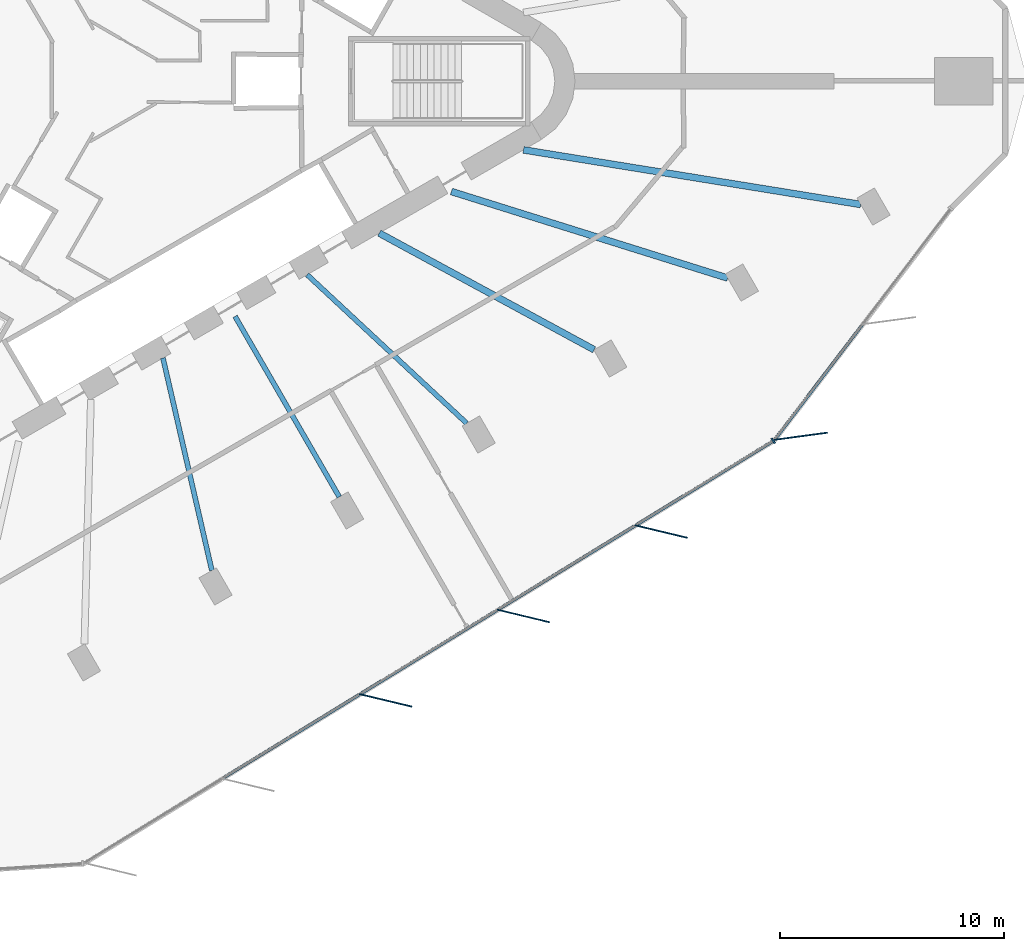
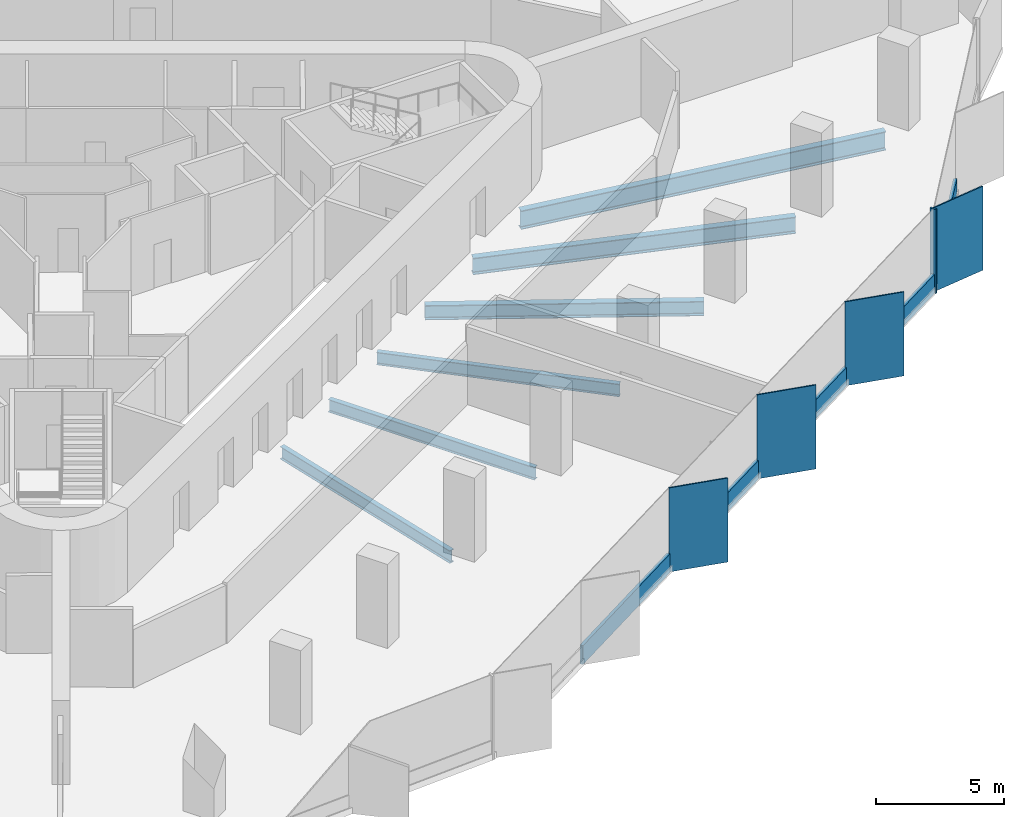
# One storey, part 3 of 14: 10 members, 6 beams, 2 elements without a shape of their own.
"""IFC4 building model written with IfcOpenShell, lengths in metres."""

import ifcopenshell
import ifcopenshell.guid

model = None  # the IFC model being written
_history = None  # IfcOwnerHistory: only IFC2X3 demands one
_inside = {}  # id of a spatial element -> (the spatial element, [elements in it])
_under = {}  # id of a project, library or spatial element -> (it, [spatial elements below it])
_declared = {}  # id of a project -> (the project, [libraries it declares])
_typed = {}  # id of a type object -> (the type object, [elements of that type])
_made_of = {}  # id of a material, layer set ... -> (it, [elements and type objects made of it])


def new_model(schema):
    """Start an empty IFC model of exactly this schema.

    Asked for "IFC4X3", IfcOpenShell would pick the latest addendum, in which some entities
    have other attributes; the version numbers below select the first issue.
    IFC2X3 requires an IfcOwnerHistory on every rooted entity: one is made here for all.
    """
    global model, _history
    if schema == "IFC4X3":
        model = ifcopenshell.file(schema_version=(4, 3, 0, 0))
    else:
        model = ifcopenshell.file(schema=schema)
    _inside.clear()
    _under.clear()
    _declared.clear()
    _typed.clear()
    _made_of.clear()
    _history = None
    if model.schema == "IFC2X3":
        org = make("IfcOrganization", Name="unknown")
        user = make(
            "IfcPersonAndOrganization",
            ThePerson=make("IfcPerson", FamilyName="unknown"),
            TheOrganization=org,
        )
        app = make(
            "IfcApplication",
            ApplicationDeveloper=org,
            Version="unknown",
            ApplicationFullName="unknown",
            ApplicationIdentifier="unknown",
        )
        _history = make(
            "IfcOwnerHistory",
            OwningUser=user,
            OwningApplication=app,
            ChangeAction="ADDED",
            CreationDate=0,
        )
    return model


def make(cls, **values):
    """One entity of the class cls with the attributes given. An attribute that is None is left unset."""
    return model.create_entity(
        cls, **{name: value for name, value in values.items() if value is not None}
    )


def rooted(cls, **values):
    """An entity with a GlobalId (a new one), such as an element, a storey or a relation."""
    return make(cls, GlobalId=ifcopenshell.guid.new(), OwnerHistory=_history, **values)


def si_unit(unit_type, name, prefix=None):
    """IfcSIUnit, for example si_unit("LENGTHUNIT", "METRE", prefix="MILLI")."""
    return make("IfcSIUnit", UnitType=unit_type, Prefix=prefix, Name=name)


def assignment(units):
    """IfcUnitAssignment: the units of a project."""
    return None if units is None else make("IfcUnitAssignment", Units=units)


def point(xyz):
    """IfcCartesianPoint."""
    return None if xyz is None else make("IfcCartesianPoint", Coordinates=xyz)


def direction(xyz):
    """IfcDirection."""
    return None if xyz is None else make("IfcDirection", DirectionRatios=xyz)


def frame(location, z_axis=None, x_axis=None):
    """IfcAxis2Placement3D, a coordinate frame: its origin and axes. An axis left out is left unset."""
    return make(
        "IfcAxis2Placement3D",
        Location=point(location),
        Axis=direction(z_axis),
        RefDirection=direction(x_axis),
    )


def frame_2d(location, x_axis=None):
    """IfcAxis2Placement2D, a coordinate frame in the plane: its origin and x axis."""
    return make(
        "IfcAxis2Placement2D", Location=point(location), RefDirection=direction(x_axis)
    )


def origin():
    """The frame at (0, 0, 0) with its axes left unset."""
    return frame((0.0, 0.0, 0.0))


def origin_2d():
    """The frame at (0, 0) in the plane with its x axis left unset."""
    return frame_2d((0.0, 0.0))


def place(relative_to, where):
    """IfcLocalPlacement: puts the frame where relative to a parent placement (None: the world)."""
    return make(
        "IfcLocalPlacement", PlacementRelTo=relative_to, RelativePlacement=where
    )


def context(
    kind, dimensions, precision=None, world=None, true_north=None, identifier=None
):
    """IfcGeometricRepresentationContext, for example the 3D "Model" context."""
    return make(
        "IfcGeometricRepresentationContext",
        ContextIdentifier=identifier,
        ContextType=kind,
        CoordinateSpaceDimension=dimensions,
        Precision=precision,
        WorldCoordinateSystem=world,
        TrueNorth=true_north,
    )


def subcontext(parent, identifier, kind, view, scale=None):
    """IfcGeometricRepresentationSubContext, for example "Body" below "Model"."""
    return make(
        "IfcGeometricRepresentationSubContext",
        ContextIdentifier=identifier,
        ContextType=kind,
        ParentContext=parent,
        TargetScale=scale,
        TargetView=view,
    )


def project(units=None, contexts=None):
    """IfcProject with its units and contexts."""
    return rooted(
        "IfcProject",
        Name="project",
        RepresentationContexts=contexts,
        UnitsInContext=assignment(units),
    )


def spatial(cls, under=None, at=None, **own):
    """A site, building, storey or space (cls), placed at a placement, below another one or the project."""
    s = rooted(cls, ObjectPlacement=at, **own)
    if under is not None:
        _under.setdefault(under.id(), (under, []))[1].append(s)
    return s


def profile(cls, at=None, kind="AREA", **sizes):
    """A parametric profile (cls). Its sizes go by their IFC names, for example OverallWidth=200.0."""
    return make(cls, ProfileType=kind, Position=at, **sizes)


def rectangle(**sizes):
    """IfcRectangleProfileDef."""
    return profile("IfcRectangleProfileDef", **sizes)


def i_section(**sizes):
    """IfcIShapeProfileDef."""
    return profile("IfcIShapeProfileDef", **sizes)


def extrude(swept, where, along, depth):
    """IfcExtrudedAreaSolid: the profile swept, set in the frame where, extruded along a direction by depth."""
    return make(
        "IfcExtrudedAreaSolid",
        SweptArea=swept,
        Position=where,
        ExtrudedDirection=direction(along),
        Depth=depth,
    )


def shape(context_of_items, identifier, shape_type, items):
    """IfcShapeRepresentation: the items that make up one representation, for example the "Body"."""
    return make(
        "IfcShapeRepresentation",
        ContextOfItems=context_of_items,
        RepresentationIdentifier=identifier,
        RepresentationType=shape_type,
        Items=items,
    )


def material(Name=None, Category=None):
    """IfcMaterial."""
    return make("IfcMaterial", Name=Name, Category=Category)


def material_profile(
    of_material, cross_section, Name=None, Category=None, Priority=None
):
    """IfcMaterialProfile: a cross section and its material."""
    return make(
        "IfcMaterialProfile",
        Name=Name,
        Material=of_material,
        Profile=cross_section,
        Priority=Priority,
        Category=Category,
    )


def profile_set(profiles, Name=None, composite=None):
    """IfcMaterialProfileSet."""
    return make(
        "IfcMaterialProfileSet",
        Name=Name,
        MaterialProfiles=profiles,
        CompositeProfile=composite,
    )


def made_of(thing, what):
    """Note that an element or type object is made of a material, layer set ...; save() writes the relation."""
    if what is not None:
        _made_of.setdefault(what.id(), (what, []))[1].append(thing)
    return thing


def type_object(cls, material=None, **own):
    """A type object (cls), such as IfcWallType, which elements share."""
    return made_of(rooted(cls, **own), material)


def element(
    cls,
    number,
    at=None,
    inside=None,
    cuts=None,
    type_object=None,
    material=None,
    context=None,
    identifier="Body",
    shape_type=None,
    held_by="IfcProductDefinitionShape",
    body=None,
    shapes=None,
    **own,
):
    """One element of the class cls, such as IfcWall. Its Tag is "e" and its number.

    at: its placement. inside: the storey or other place that contains it. cuts: it is an
    opening in that element (IfcRelVoidsElement). A single representation is given by context,
    identifier, shape_type and body (its items); several are given by shapes. held_by: the class
    of the entity that holds the representations. save() writes the other relations.
    """
    e = rooted(cls, Tag="e%d" % number, ObjectPlacement=at, **own)
    if body is not None:
        shapes = [shape(context, identifier, shape_type, body)]
    if shapes is not None:
        e.Representation = make(held_by, Representations=shapes)
    if inside is not None:
        _inside.setdefault(inside.id(), (inside, []))[1].append(e)
    if cuts is not None:
        rooted(
            "IfcRelVoidsElement", RelatingBuildingElement=cuts, RelatedOpeningElement=e
        )
    if type_object is not None:
        _typed.setdefault(type_object.id(), (type_object, []))[1].append(e)
    return made_of(e, material)


def aggregate(whole, parts):
    """IfcRelAggregates: a whole, such as a stair, and the parts it consists of."""
    return rooted("IfcRelAggregates", RelatingObject=whole, RelatedObjects=parts)


def save(model, path):
    """Write the relations noted so far, then the file.

    IfcRelAggregates (storeys below a building ...), IfcRelContainedInSpatialStructure (elements
    in a storey), IfcRelDefinesByType, IfcRelAssociatesMaterial and IfcRelDeclares: one each for
    every whole, place, type object, material and project.
    """
    for whole, parts in _under.values():
        aggregate(whole, parts)
    for where, things in _inside.values():
        rooted(
            "IfcRelContainedInSpatialStructure",
            RelatedElements=things,
            RelatingStructure=where,
        )
    for kind, things in _typed.values():
        rooted("IfcRelDefinesByType", RelatedObjects=things, RelatingType=kind)
    for what, things in _made_of.values():
        rooted("IfcRelAssociatesMaterial", RelatedObjects=things, RelatingMaterial=what)
    for by, libraries in _declared.values():
        rooted("IfcRelDeclares", RelatingContext=by, RelatedDefinitions=libraries)
    model.write(path)


model = new_model("IFC4")

# Units and contexts
model_context = context("Model", 3, precision=1e-05, world=origin(), true_north=direction((0.0, 1.0)))
body_context = subcontext(model_context, "Body", "Model", "MODEL_VIEW")
ifc_project = project(units=[si_unit("LENGTHUNIT", "METRE"), si_unit("AREAUNIT", "SQUARE_METRE"), si_unit("VOLUMEUNIT", "CUBIC_METRE"), si_unit("PLANEANGLEUNIT", "RADIAN"), si_unit("MASSUNIT", "GRAM", prefix="KILO")], contexts=[model_context])

# Site, building, storey
site_placement = place(None, origin())
site = spatial("IfcSite", under=ifc_project, at=site_placement, CompositionType="ELEMENT")
building_placement = place(site_placement, origin())
building = spatial("IfcBuilding", under=site, at=building_placement, Name="Tanit Gate Tower", CompositionType="ELEMENT")
storey_placement = place(building_placement, frame((0.0, 0.0, 221.199951171875)))
storey = spatial("IfcBuildingStorey", under=building, at=storey_placement, Name="L49", CompositionType="ELEMENT", Elevation=221.199951171875)

# Curtain wall, members
ifc_material_1 = material(Name="Aluminium bronze anodised and glass", Category="aluminium")
curtain_wall_type = type_object("IfcCurtainWallType", Name="Curtain wall typical mid", PredefinedType="NOTDEFINED", material=ifc_material_1)
curtain_wall_1_placement = place(storey_placement, origin())
curtain_wall_1 = element("IfcCurtainWall", 1, at=curtain_wall_1_placement, inside=storey, type_object=curtain_wall_type, Name="Curtain wall L49 SE2", PredefinedType="NOTDEFINED")
ifc_material_2 = material(Name="Aluminium bronze anodised", Category="aluminium")
ifc_material_profile_1 = material_profile(ifc_material_2, rectangle(XDim=2.39990234375, YDim=0.055908203125, at=origin_2d()), Name="56x2400 bronze fin mullion")
ifc_profile_set_1 = profile_set([ifc_material_profile_1], Name="Aluminium bronze anodised")
member_type_1 = type_object("IfcMemberType", Name="FIN MULLION 56x2400 bronze", PredefinedType="MULLION", material=ifc_profile_set_1)
member_1_placement = place(storey_placement, frame((12.76123046875, -27.589111328125, -0.300048828125), z_axis=(0.0, 0.0, 1.0), x_axis=(-0.97234319207, 0.23355666729, 0.0)))
member_1 = element("IfcMember", 2, at=member_1_placement, type_object=member_type_1, Name="Fin mullion L49 SE2.3", PredefinedType="MULLION", context=body_context, shape_type="SweptSolid", body=[
    extrude(rectangle(XDim=2.39990234375, YDim=0.055908203125, at=origin_2d()), origin(), (0.0, 0.0, 1.0), 4.0),
])
member_2_placement = place(storey_placement, frame((18.900146484375, -23.827880859375, -0.300048828125), z_axis=(0.0, 0.0, 1.0), x_axis=(-0.97234319207, 0.23355666729, 0.0)))
member_2 = element("IfcMember", 3, at=member_2_placement, type_object=member_type_1, Name="Fin mullion L49 SE2.4", PredefinedType="MULLION", context=body_context, shape_type="SweptSolid", body=[
    extrude(rectangle(XDim=2.39990234375, YDim=0.055908203125, at=origin_2d()), origin(), (0.0, 0.0, 1.0), 4.0),
])
member_3_placement = place(storey_placement, frame((25.039306640625, -20.06689453125, -0.300048828125), z_axis=(0.0, 0.0, 1.0), x_axis=(-0.97234319207, 0.23355666729, 0.0)))
member_3 = element("IfcMember", 4, at=member_3_placement, type_object=member_type_1, Name="Fin mullion L49 SE2.5", PredefinedType="MULLION", context=body_context, shape_type="SweptSolid", body=[
    extrude(rectangle(XDim=2.39990234375, YDim=0.055908203125, at=origin_2d()), origin(), (0.0, 0.0, 1.0), 4.0),
])

# Curtain wall, member
curtain_wall_2_placement = place(storey_placement, origin())
curtain_wall_2 = element("IfcCurtainWall", 5, at=curtain_wall_2_placement, inside=storey, type_object=curtain_wall_type, Name="Curtain wall L49 SE3", PredefinedType="NOTDEFINED")
member_4_placement = place(storey_placement, frame((31.2587890625, -15.8203125, -0.300048828125), z_axis=(0.0, 0.0, 1.0), x_axis=(-0.991049134388, -0.133497615066, 0.0)))
member_4 = element("IfcMember", 6, at=member_4_placement, type_object=member_type_1, Name="Fin mullion L49 SE3.1", PredefinedType="MULLION", context=body_context, shape_type="SweptSolid", body=[
    extrude(rectangle(XDim=2.39990234375, YDim=0.055908203125, at=origin_2d()), origin(), (0.0, 0.0, 1.0), 4.0),
])

# Member
ifc_material_3 = material(Name="Aluminium bronze anodised", Category="aluminium")
ifc_material_profile_2 = material_profile(ifc_material_3, rectangle(XDim=0.260009765625, YDim=0.080078125, at=origin_2d()), Name="80x260 bronze mullion")
ifc_profile_set_2 = profile_set([ifc_material_profile_2], Name="Aluminium bronze anodised")
member_type_2 = type_object("IfcMemberType", Name="Mullion 80x260 typical mid", PredefinedType="MULLION", material=ifc_profile_set_2)
member_5_placement = place(storey_placement, frame((30.0322265625, -16.030517578125, -0.300048828125), z_axis=(0.0, 0.0, 1.0), x_axis=(-0.522400961521, 0.852699967985, 0.0)))
member_5 = element("IfcMember", 7, at=member_5_placement, type_object=member_type_2, Name="Mullion L49 SE2.6", PredefinedType="MULLION", context=body_context, shape_type="SweptSolid", body=[
    extrude(rectangle(XDim=0.260009765625, YDim=0.080078125, at=origin_2d()), origin(), (0.0, 0.0, 1.0), 4.0),
])

# Beams
ifc_material_4 = material(Name="Steel S355", Category="steel")
ifc_material_profile_3 = material_profile(ifc_material_4, i_section(OverallWidth=0.300048828125, OverallDepth=0.68994140625, WebThickness=0.014404296875, FlangeThickness=0.027099609375, FilletRadius=0.027099609375, at=origin_2d()), Name="HEA 700")
ifc_profile_set_3 = profile_set([ifc_material_profile_3], Name="Steel S355")
beam_type_1 = type_object("IfcBeamType", Name="RADIAL GIRDER HEA 700 S355", PredefinedType="BEAM", material=ifc_profile_set_3)
beam_1_placement = place(storey_placement, frame((22.050048828125, -11.96630859375, -0.64501953125), z_axis=(-0.878919746534, 0.476969683683, 0.0), x_axis=(-0.476969683683, -0.878919746534, 0.0)))
element("IfcBeam", 8, at=beam_1_placement, inside=storey, type_object=beam_type_1, Name="RADIAL GIRDER", PredefinedType="BEAM", context=body_context, shape_type="SweptSolid", body=[
    extrude(i_section(OverallWidth=0.300048828125, OverallDepth=0.68994140625, WebThickness=0.014404296875, FlangeThickness=0.027099609375, FilletRadius=0.027099609375, at=origin_2d()), origin(), (0.0, 0.0, 1.0), 10.892333984375),
])
ifc_material_5 = material(Name="Steel S355", Category="steel")
ifc_material_profile_4 = material_profile(ifc_material_5, i_section(OverallWidth=0.300048828125, OverallDepth=0.7900390625, WebThickness=0.014892578125, FlangeThickness=0.028076171875, FilletRadius=0.030029296875, at=origin_2d()), Name="HEA 800")
ifc_profile_set_4 = profile_set([ifc_material_profile_4], Name="Steel S355")
beam_type_2 = type_object("IfcBeamType", Name="RADIAL GIRDER HEA 800 S355", PredefinedType="BEAM", material=ifc_profile_set_4)
beam_2_placement = place(storey_placement, frame((28.001220703125, -8.773681640625, -0.695068359375), z_axis=(-0.954253776397, 0.298997876635, 0.0), x_axis=(-0.298997876635, -0.954253776397, 0.0)))
element("IfcBeam", 9, at=beam_2_placement, inside=storey, type_object=beam_type_2, Name="RADIAL GIRDER", PredefinedType="BEAM", context=body_context, shape_type="SweptSolid", body=[
    extrude(i_section(OverallWidth=0.300048828125, OverallDepth=0.7900390625, WebThickness=0.014892578125, FlangeThickness=0.028076171875, FilletRadius=0.030029296875, at=origin_2d()), origin(), (0.0, 0.0, 1.0), 12.902099609375),
])
ifc_material_6 = material(Name="Steel S355", Category="steel")
ifc_material_profile_5 = material_profile(ifc_material_6, i_section(OverallWidth=0.300048828125, OverallDepth=0.889892578125, WebThickness=0.01611328125, FlangeThickness=0.030029296875, FilletRadius=0.030029296875, at=origin_2d()), Name="HEA 900")
ifc_profile_set_5 = profile_set([ifc_material_profile_5], Name="Steel S355")
beam_type_3 = type_object("IfcBeamType", Name="RADIAL GIRDER HEA 900 S355", PredefinedType="BEAM", material=ifc_profile_set_5)
beam_3_placement = place(storey_placement, frame((33.92626953125, -5.494140625, -0.744873046875), z_axis=(-0.987139158822, 0.159863320119, 0.0), x_axis=(-0.159863320119, -0.987139158822, 0.0)))
element("IfcBeam", 10, at=beam_3_placement, inside=storey, type_object=beam_type_3, Name="RADIAL GIRDER", PredefinedType="BEAM", context=body_context, shape_type="SweptSolid", body=[
    extrude(i_section(OverallWidth=0.300048828125, OverallDepth=0.889892578125, WebThickness=0.01611328125, FlangeThickness=0.030029296875, FilletRadius=0.030029296875, at=origin_2d()), origin(), (0.0, 0.0, 1.0), 15.219970703125),
])
ifc_material_7 = material(Name="Steel S355", Category="steel")
ifc_material_profile_6 = material_profile(ifc_material_7, i_section(OverallWidth=0.219970703125, OverallDepth=0.60009765625, WebThickness=0.011962890625, FlangeThickness=0.01904296875, FilletRadius=0.02392578125, at=origin_2d()), Name="IPE 600")
ifc_profile_set_6 = profile_set([ifc_material_profile_6], Name="Steel S355")
beam_type_4 = type_object("IfcBeamType", Name="RADIAL GIRDER IPE 600 S355", PredefinedType="BEAM", material=ifc_profile_set_6)
beam_4_placement = place(storey_placement, frame((5.01611328125, -21.80078125, -0.599853515625), z_axis=(-0.224240798092, 0.974533767743, 0.0), x_axis=(-0.974533767743, -0.224240798092, 0.0)))
element("IfcBeam", 11, at=beam_4_placement, inside=storey, type_object=beam_type_4, Name="RADIAL GIRDER", PredefinedType="BEAM", context=body_context, shape_type="SweptSolid", body=[
    extrude(i_section(OverallWidth=0.219970703125, OverallDepth=0.60009765625, WebThickness=0.011962890625, FlangeThickness=0.01904296875, FilletRadius=0.02392578125, at=origin_2d()), origin(), (0.0, 0.0, 1.0), 9.712646484375),
])
beam_5_placement = place(storey_placement, frame((10.694091796875, -18.522705078125, -0.599853515625), z_axis=(-0.500001619514, 0.866024468756, 0.0), x_axis=(-0.866024468756, -0.500001619514, 0.0)))
element("IfcBeam", 12, at=beam_5_placement, inside=storey, type_object=beam_type_4, Name="RADIAL GIRDER", PredefinedType="BEAM", context=body_context, shape_type="SweptSolid", body=[
    extrude(i_section(OverallWidth=0.219970703125, OverallDepth=0.60009765625, WebThickness=0.011962890625, FlangeThickness=0.01904296875, FilletRadius=0.02392578125, at=origin_2d()), origin(), (0.0, 0.0, 1.0), 9.2861328125),
])
beam_6_placement = place(storey_placement, frame((16.3720703125, -15.244384765625, -0.599853515625), z_axis=(-0.731857228845, 0.681457993267, 0.0), x_axis=(-0.681457993267, -0.731857228845, 0.0)))
element("IfcBeam", 13, at=beam_6_placement, inside=storey, type_object=beam_type_4, Name="RADIAL GIRDER", PredefinedType="BEAM", context=body_context, shape_type="SweptSolid", body=[
    extrude(i_section(OverallWidth=0.219970703125, OverallDepth=0.60009765625, WebThickness=0.011962890625, FlangeThickness=0.01904296875, FilletRadius=0.02392578125, at=origin_2d()), origin(), (0.0, 0.0, 1.0), 9.71240234375),
])

# Member
ifc_material_8 = material(Name="Aluminium bronze anodised", Category="aluminium")
ifc_material_profile_7 = material_profile(ifc_material_8, rectangle(XDim=0.139892578125, YDim=0.89990234375, at=origin_2d()), Name="140x900 bronze transom")
ifc_profile_set_7 = profile_set([ifc_material_profile_7], Name="Aluminium bronze anodised")
member_type_3 = type_object("IfcMemberType", Name="Transom 140x900 typical mid", PredefinedType="USERDEFINED", material=ifc_profile_set_7)
member_6_placement = place(storey_placement, frame((5.510009765625, -31.053955078125, 0.150146484375), z_axis=(0.852699806703, 0.522401224777, 0.0), x_axis=(-0.522401224777, 0.852699806703, 0.0)))
member_6 = element("IfcMember", 14, at=member_6_placement, type_object=member_type_3, Name="Transom L49 SE2.2", ObjectType="TRANSOM", PredefinedType="USERDEFINED", context=body_context, shape_type="SweptSolid", body=[
    extrude(rectangle(XDim=0.139892578125, YDim=0.89990234375, at=origin_2d()), origin(), (0.0, 0.0, 1.0), 7.119384765625),
])

member_7_placement = place(storey_placement, frame((11.649169921875, -27.292724609375, 0.150146484375), z_axis=(0.852699806703, 0.522401224777, 0.0), x_axis=(-0.522401224777, 0.852699806703, 0.0)))
member_7 = element("IfcMember", 15, at=member_7_placement, type_object=member_type_3, Name="Transom L49 SE2.3", ObjectType="TRANSOM", PredefinedType="USERDEFINED", context=body_context, shape_type="SweptSolid", body=[
    extrude(rectangle(XDim=0.139892578125, YDim=0.89990234375, at=origin_2d()), origin(), (0.0, 0.0, 1.0), 7.119384765625),
])

member_8_placement = place(storey_placement, frame((17.7880859375, -23.53173828125, 0.150146484375), z_axis=(0.852709164628, 0.522385949811, 0.0), x_axis=(-0.522385949811, 0.852709164628, 0.0)))
member_8 = element("IfcMember", 16, at=member_8_placement, type_object=member_type_3, Name="Transom L49 SE2.4", ObjectType="TRANSOM", PredefinedType="USERDEFINED", context=body_context, shape_type="SweptSolid", body=[
    extrude(rectangle(XDim=0.139892578125, YDim=0.89990234375, at=origin_2d()), origin(), (0.0, 0.0, 1.0), 7.11962890625),
])

member_9_placement = place(storey_placement, frame((23.92724609375, -19.770751953125, 0.150146484375), z_axis=(0.852684531283, 0.522426157568, 0.0), x_axis=(-0.522426157568, 0.852684531283, 0.0)))
member_9 = element("IfcMember", 17, at=member_9_placement, type_object=member_type_3, Name="Transom L49 SE2.5", ObjectType="TRANSOM", PredefinedType="USERDEFINED", context=body_context, shape_type="SweptSolid", body=[
    extrude(rectangle(XDim=0.139892578125, YDim=0.89990234375, at=origin_2d()), origin(), (0.0, 0.0, 1.0), 7.11962890625),
])

aggregate(curtain_wall_1, [member_1, member_2, member_3, member_5, member_6, member_7, member_8, member_9])

member_10_placement = place(storey_placement, frame((30.11474609375, -15.946044921875, 0.150146484375), z_axis=(0.606392735352, 0.795165297603, 0.0), x_axis=(-0.795165297603, 0.606392735352, 0.0)))
member_10 = element("IfcMember", 18, at=member_10_placement, type_object=member_type_3, Name="Transom L49 SE3.1", ObjectType="TRANSOM", PredefinedType="USERDEFINED", context=body_context, shape_type="SweptSolid", body=[
    extrude(rectangle(XDim=0.139892578125, YDim=0.89990234375, at=origin_2d()), origin(), (0.0, 0.0, 1.0), 6.396728515625),
])

aggregate(curtain_wall_2, [member_4, member_10])

save(model, "model.ifc")
